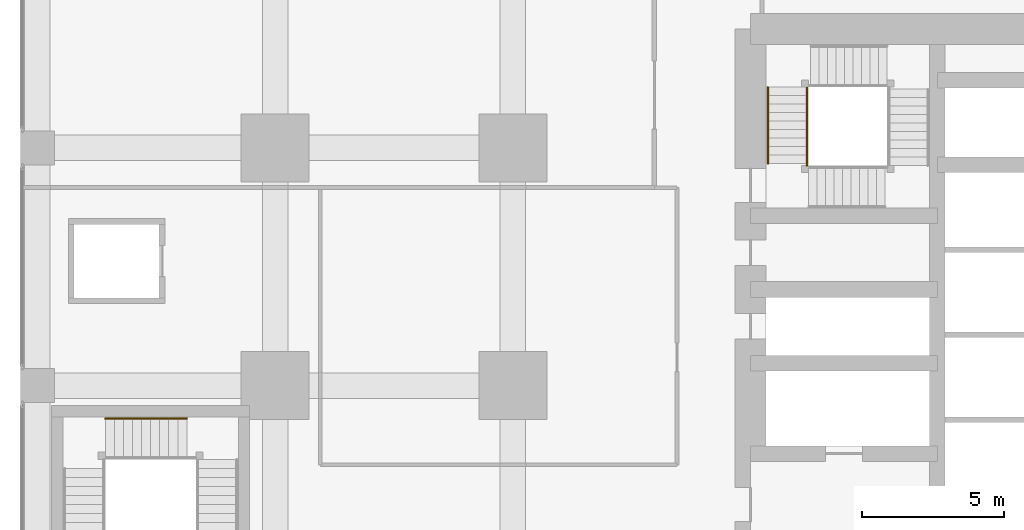
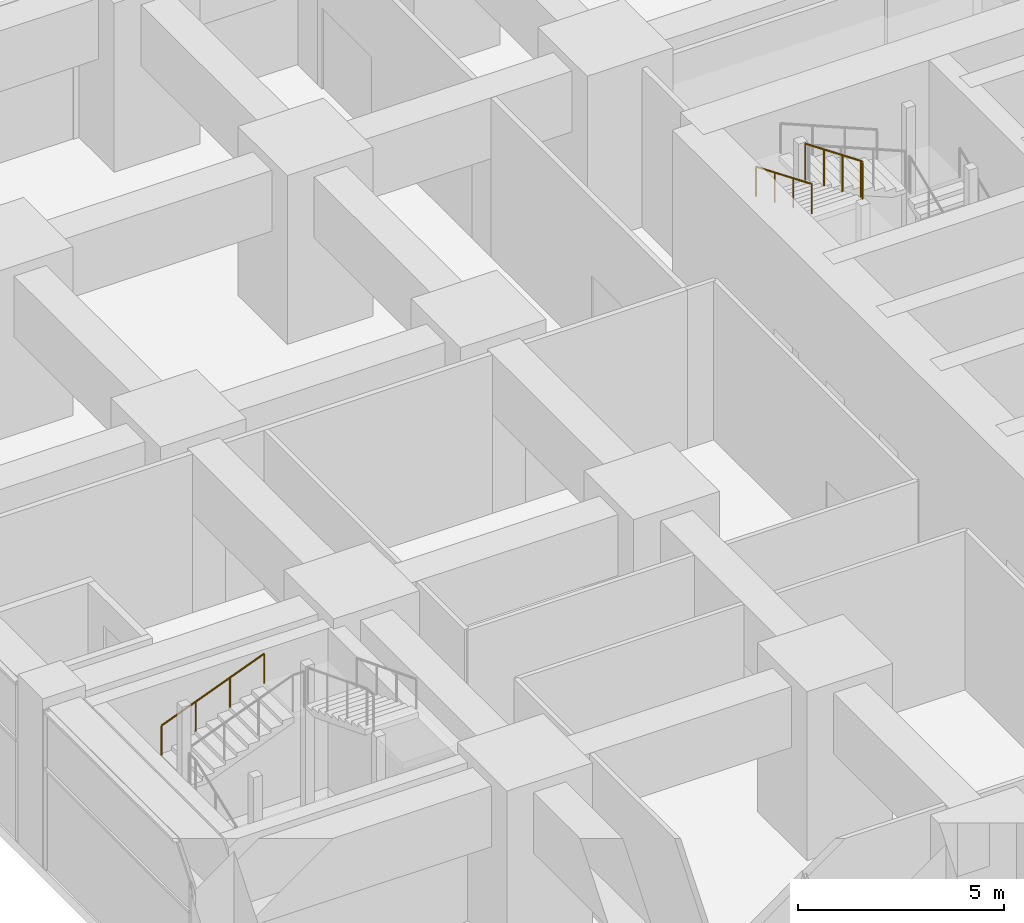
# One storey, part 45 of 49: 4 railings.
"""IFC4 building model written with IfcOpenShell, lengths in metres."""

from ifc_helpers import new_model, si_unit, direction, frame, origin, origin_2d, place, context, subcontext, project, spatial, circle, extrude, material, type_object, element, save


model = new_model("IFC4")

# Units and contexts
model_context = context("Model", 3, precision=1e-05, world=origin(), true_north=direction((0.0, 1.0)))
body_context = subcontext(model_context, "Body", "Model", "MODEL_VIEW")
ifc_project = project(units=[si_unit("LENGTHUNIT", "METRE"), si_unit("AREAUNIT", "SQUARE_METRE"), si_unit("VOLUMEUNIT", "CUBIC_METRE"), si_unit("PLANEANGLEUNIT", "RADIAN"), si_unit("MASSUNIT", "GRAM", prefix="KILO")], contexts=[model_context])

# Site, building, storey
site_placement = place(None, origin())
site = spatial("IfcSite", under=ifc_project, at=site_placement, CompositionType="ELEMENT")
building_placement = place(site_placement, origin())
building = spatial("IfcBuilding", under=site, at=building_placement, Name="Rekha Terrace Tower", CompositionType="ELEMENT")
storey_placement = place(building_placement, frame((0.0, 0.0, 5.39990234375)))
storey = spatial("IfcBuildingStorey", under=building, at=storey_placement, Name="L01", CompositionType="ELEMENT", Elevation=5.39990234375)

# Railings
ifc_material_1 = material(Name="Stainless steel balustrade", Category="steel")
railing_type_1 = type_object("IfcRailingType", Name="GR1 1100 stair guard", PredefinedType="GUARDRAIL", material=ifc_material_1)
railing_1_placement = place(storey_placement, frame((27.18994140625, 44.14990234375, 3.875)))
element("IfcRailing", 1, at=railing_1_placement, inside=storey, type_object=railing_type_1, Name="Guard ST4 L01 flight 4", PredefinedType="GUARDRAIL", context=body_context, shape_type="SweptSolid", body=[
    extrude(circle(Radius=0.02392578125, at=origin_2d()), frame((0.0, 0.0, 1.076171875), z_axis=(0.0, -0.923074453586, 0.384621311341), x_axis=(1.0, 0.0, 0.0)), (0.0, 0.0, 1.0), 2.925048828125),
    extrude(circle(Radius=0.02099609375, at=origin_2d()), origin(), (0.0, 0.0, 1.0), 1.052001953125),
    extrude(circle(Radius=0.02099609375, at=origin_2d()), frame((0.0, -0.89990234375, 0.375)), (0.0, 0.0, 1.0), 1.052001953125),
    extrude(circle(Radius=0.02099609375, at=origin_2d()), frame((0.0, -1.800048828125, 0.75)), (0.0, 0.0, 1.0), 1.052001953125),
    extrude(circle(Radius=0.02099609375, at=origin_2d()), frame((0.0, -2.699951171875, 1.125)), (0.0, 0.0, 1.0), 1.052001953125),
])
railing_2_placement = place(storey_placement, frame((27.18994140625, 41.375, 5.0)))
element("IfcRailing", 2, at=railing_2_placement, inside=storey, type_object=railing_type_1, Name="Guard ST4 L01 landing 4", PredefinedType="GUARDRAIL", context=body_context, shape_type="SweptSolid", body=[
    extrude(circle(Radius=0.02392578125, at=origin_2d()), frame((0.0, 0.0, 1.076171875), z_axis=(0.0, 1.0, 0.0), x_axis=(-1.0, 0.0, 0.0)), (0.0, 0.0, 1.0), 0.074951171875),
    extrude(circle(Radius=0.02099609375, at=origin_2d()), origin(), (0.0, 0.0, 1.0), 1.052001953125),
    extrude(circle(Radius=0.02099609375, at=origin_2d()), frame((0.0, 0.074951171875, 0.0)), (0.0, 0.0, 1.0), 1.052001953125),
])
ifc_material_2 = material(Name="Stainless steel tube", Category="steel")
railing_type_2 = type_object("IfcRailingType", Name="HR1 900 stair handrail", PredefinedType="HANDRAIL", material=ifc_material_2)
railing_3_placement = place(storey_placement, frame((2.39990234375, 32.43994140625, 2.625)))
element("IfcRailing", 3, at=railing_3_placement, inside=storey, type_object=railing_type_2, Name="Handrail SP1 L01 flight 3", PredefinedType="HANDRAIL", context=body_context, shape_type="SweptSolid", body=[
    extrude(circle(Radius=0.02392578125, at=origin_2d()), frame((0.0, 0.0, 0.8759765625), z_axis=(0.931462784923, 0.0, 0.363836612098), x_axis=(0.0, 1.0, 0.0)), (0.0, 0.0, 1.0), 3.092041015625),
    extrude(circle(Radius=0.02099609375, at=origin_2d()), origin(), (0.0, 0.0, 1.0), 0.851806640625),
    extrude(circle(Radius=0.02099609375, at=origin_2d()), frame((0.9599609375, 0.0, 0.375)), (0.0, 0.0, 1.0), 0.851806640625),
    extrude(circle(Radius=0.02099609375, at=origin_2d()), frame((1.920166015625, 0.0, 0.75)), (0.0, 0.0, 1.0), 0.851806640625),
    extrude(circle(Radius=0.02099609375, at=origin_2d()), frame((2.880126953125, 0.0, 1.125)), (0.0, 0.0, 1.0), 0.851806640625),
])
railing_4_placement = place(storey_placement, frame((25.81005859375, 44.14990234375, 3.875)))
element("IfcRailing", 4, at=railing_4_placement, inside=storey, type_object=railing_type_2, Name="Handrail ST4 L01 flight 4", PredefinedType="HANDRAIL", context=body_context, shape_type="SweptSolid", body=[
    extrude(circle(Radius=0.02392578125, at=origin_2d()), frame((0.0, 0.0, 0.8759765625), z_axis=(0.0, -0.923074453586, 0.384621311341), x_axis=(1.0, 0.0, 0.0)), (0.0, 0.0, 1.0), 2.925048828125),
    extrude(circle(Radius=0.02099609375, at=origin_2d()), origin(), (0.0, 0.0, 1.0), 0.851806640625),
    extrude(circle(Radius=0.02099609375, at=origin_2d()), frame((0.0, -0.89990234375, 0.375)), (0.0, 0.0, 1.0), 0.851806640625),
    extrude(circle(Radius=0.02099609375, at=origin_2d()), frame((0.0, -1.800048828125, 0.75)), (0.0, 0.0, 1.0), 0.851806640625),
    extrude(circle(Radius=0.02099609375, at=origin_2d()), frame((0.0, -2.699951171875, 1.125)), (0.0, 0.0, 1.0), 0.851806640625),
])

save(model, "model.ifc")
